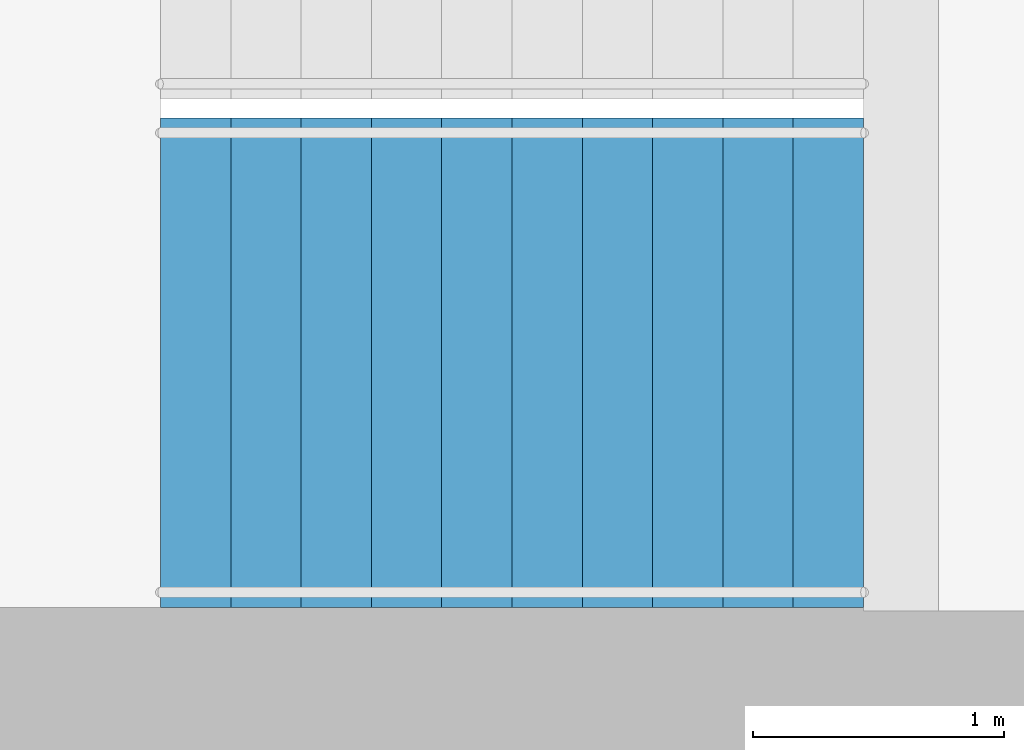
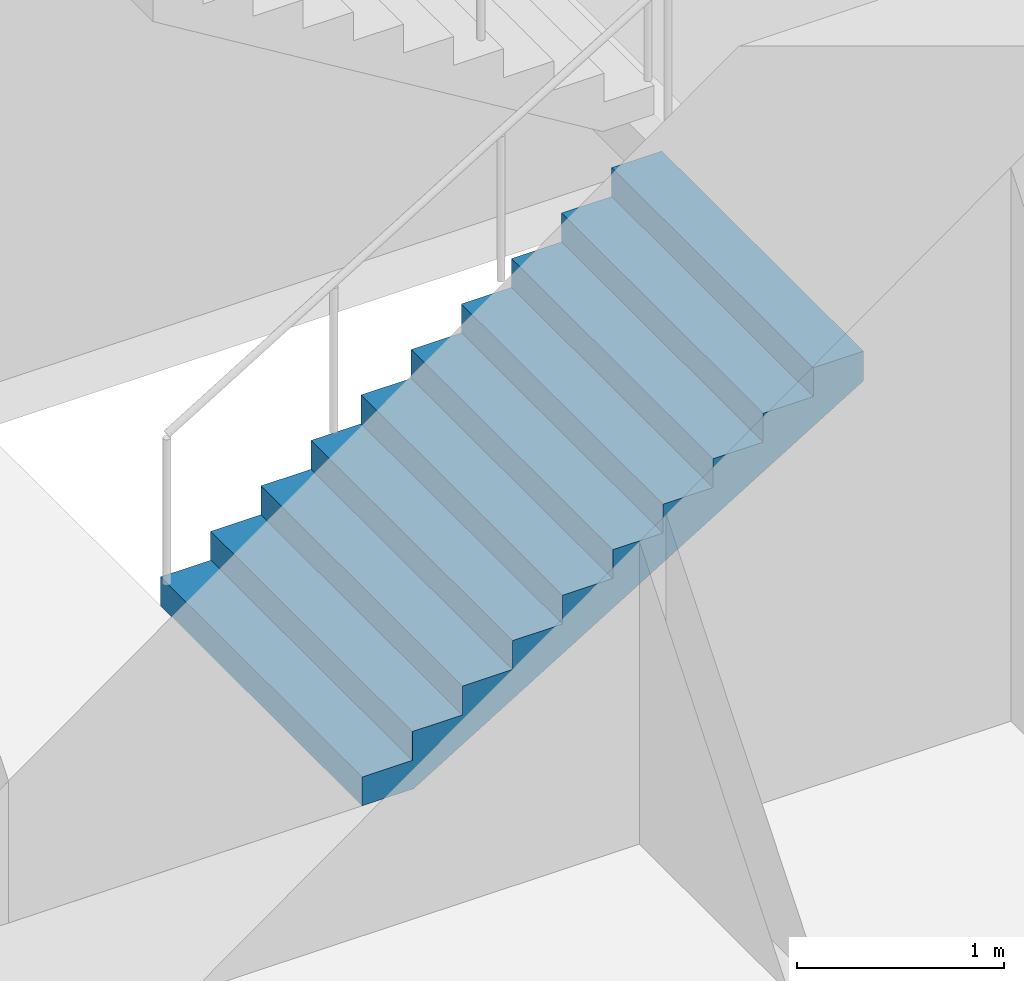
# One storey, part 17 of 21: 1 stair flight, 1 element without a shape of its own.
"""IFC4 building model written with IfcOpenShell, lengths in metres."""

from ifc_helpers import new_model, si_unit, direction, frame, origin, place, context, subcontext, project, spatial, triangles, material, type_object, element, aggregate, save


model = new_model("IFC4")

# Units and contexts
model_context = context("Model", 3, precision=1e-05, world=origin(), true_north=direction((0.0, 1.0)))
body_context = subcontext(model_context, "Body", "Model", "MODEL_VIEW")
ifc_project = project(units=[si_unit("LENGTHUNIT", "METRE"), si_unit("AREAUNIT", "SQUARE_METRE"), si_unit("VOLUMEUNIT", "CUBIC_METRE"), si_unit("PLANEANGLEUNIT", "RADIAN"), si_unit("MASSUNIT", "GRAM", prefix="KILO")], contexts=[model_context])

# Site, building, storey
site_placement = place(None, origin())
site = spatial("IfcSite", under=ifc_project, at=site_placement, CompositionType="ELEMENT")
building_placement = place(site_placement, origin())
building = spatial("IfcBuilding", under=site, at=building_placement, Name="Orbita Commons", CompositionType="ELEMENT")
storey_placement = place(building_placement, frame((0.0, 0.0, 95.64990234375)))
storey = spatial("IfcBuildingStorey", under=building, at=storey_placement, Name="L23", CompositionType="ELEMENT", Elevation=95.64990234375)

# Stair, stair flight
ifc_material_1 = material(Name="Precast concrete C40/50", Category="concrete")
stair_type = type_object("IfcStairType", Name="Exit stair S1 2 flights 11 risers 170", PredefinedType="HALF_TURN_STAIR", material=ifc_material_1)
stair_placement = place(storey_placement, origin())
stair = element("IfcStair", 1, at=stair_placement, inside=storey, type_object=stair_type, Name="Exit stair S1 L23", PredefinedType="HALF_TURN_STAIR")
ifc_material_2 = material(Name="Precast concrete C40/50", Category="concrete")
stair_flight_type = type_object("IfcStairFlightType", Name="Stair flight 11 risers 170 x 280", PredefinedType="STRAIGHT", material=ifc_material_2)
stair_flight_placement = place(storey_placement, frame((20.449951171875, 27.25, 0.0), z_axis=(0.0, 0.0, 1.0), x_axis=(1.0, 0.0, 0.0)))
stair_flight = element("IfcStairFlight", 2, at=stair_flight_placement, type_object=stair_flight_type, Name="S1 flight 1", NumberOfRisers=11, NumberOfTreads=10, PredefinedType="STRAIGHT", RiserHeight=0.170454545, TreadLength=0.28, context=body_context, shape_type="Tessellation", body=[
    triangles([(0.0, 0.974976, 0.0), (0.0, 0.974976, 0.021307), (0.0, 0.81248, 0.021307), (0.0, 0.81248, 0.0), (0.0, 0.649984, 0.021307), (0.0, 0.649984, 0.0), (0.0, 0.487488, 0.021307), (0.0, 0.487488, 0.0), (0.0, 0.324992, 0.021307), (0.0, 0.324992, 0.0), (0.0, 0.162496, 0.021307), (0.0, 0.162496, 0.0), (0.0, 0.0, 0.021307), (0.0, 0.0, 0.0), (0.0, -0.162496, 0.021307), (0.0, -0.162496, 0.0), (0.0, -0.324992, 0.021307), (0.0, -0.324992, 0.0), (0.0, -0.487488, 0.021307), (0.0, -0.487488, 0.0), (0.0, -0.649984, 0.021307), (0.0, -0.649984, 0.0), (0.0, -0.81248, 0.021307), (0.0, -0.81248, 0.0), (0.0, -0.974976, 0.021307), (0.0, -0.974976, 0.0), (0.0, 0.974976, 0.042614), (0.0, 0.81248, 0.042614), (0.0, 0.649984, 0.042614), (0.0, 0.487488, 0.042614), (0.0, 0.324992, 0.042614), (0.0, 0.162496, 0.042614), (0.0, 0.0, 0.042614), (0.0, -0.162496, 0.042614), (0.0, -0.324992, 0.042614), (0.0, -0.487488, 0.042614), (0.0, -0.649984, 0.042614), (0.0, -0.81248, 0.042614), (0.0, -0.974976, 0.042614), (0.0, 0.974976, 0.06392), (0.0, 0.81248, 0.06392), (0.0, 0.649984, 0.06392), (0.0, 0.487488, 0.06392), (0.0, 0.324992, 0.06392), (0.0, 0.162496, 0.06392), (0.0, 0.0, 0.06392), (0.0, -0.162496, 0.06392), (0.0, -0.324992, 0.06392), (0.0, -0.487488, 0.06392), (0.0, -0.649984, 0.06392), (0.0, -0.81248, 0.06392), (0.0, -0.974976, 0.06392), (0.0, 0.974976, 0.085227), (0.0, 0.81248, 0.085227), (0.0, 0.649984, 0.085227), (0.0, 0.487488, 0.085227), (0.0, 0.324992, 0.085227), (0.0, 0.162496, 0.085227), (0.0, 0.0, 0.085227), (0.0, -0.162496, 0.085227), (0.0, -0.324992, 0.085227), (0.0, -0.487488, 0.085227), (0.0, -0.649984, 0.085227), (0.0, -0.81248, 0.085227), (0.0, -0.974976, 0.085227), (0.0, 0.974976, 0.106534), (0.0, 0.81248, 0.106534), (0.0, 0.649984, 0.106534), (0.0, 0.487488, 0.106534), (0.0, 0.324992, 0.106534), (0.0, 0.162496, 0.106534), (0.0, 0.0, 0.106534), (0.0, -0.162496, 0.106534), (0.0, -0.324992, 0.106534), (0.0, -0.487488, 0.106534), (0.0, -0.649984, 0.106534), (0.0, -0.81248, 0.106534), (0.0, -0.974976, 0.106534), (0.0, 0.974976, 0.127841), (0.0, 0.81248, 0.127841), (0.0, 0.649984, 0.127841), (0.0, 0.487488, 0.127841), (0.0, 0.324992, 0.127841), (0.0, 0.162496, 0.127841), (0.0, 0.0, 0.127841), (0.0, -0.162496, 0.127841), (0.0, -0.324992, 0.127841), (0.0, -0.487488, 0.127841), (0.0, -0.649984, 0.127841), (0.0, -0.81248, 0.127841), (0.0, -0.974976, 0.127841), (0.0, 0.974976, 0.149148), (0.0, 0.81248, 0.149148), (0.0, 0.649984, 0.149148), (0.0, 0.487488, 0.149148), (0.0, 0.324992, 0.149148), (0.0, 0.162496, 0.149148), (0.0, 0.0, 0.149148), (0.0, -0.162496, 0.149148), (0.0, -0.324992, 0.149148), (0.0, -0.487488, 0.149148), (0.0, -0.649984, 0.149148), (0.0, -0.81248, 0.149148), (0.0, -0.974976, 0.149148), (0.0, 0.974976, 0.170455), (0.0, 0.81248, 0.170455), (0.0, 0.649984, 0.170455), (0.0, 0.487488, 0.170455), (0.0, 0.324992, 0.170455), (0.0, 0.162496, 0.170455), (0.0, 0.0, 0.170455), (0.0, -0.162496, 0.170455), (0.0, -0.324992, 0.170455), (0.0, -0.487488, 0.170455), (0.0, -0.649984, 0.170455), (0.0, -0.81248, 0.170455), (0.0, -0.974976, 0.170455), (0.28, 0.974976, 0.170455), (0.28, 0.81248, 0.170455), (0.28, 0.649984, 0.170455), (0.28, 0.487488, 0.170455), (0.28, 0.324992, 0.170455), (0.28, 0.162496, 0.170455), (0.28, 0.0, 0.170455), (0.28, -0.162496, 0.170455), (0.28, -0.324992, 0.170455), (0.28, -0.487488, 0.170455), (0.28, -0.649984, 0.170455), (0.28, -0.81248, 0.170455), (0.28, -0.974976, 0.170455), (0.28, 0.974976, 0.340909), (0.28, 0.81248, 0.340909), (0.28, 0.649984, 0.340909), (0.28, 0.487488, 0.340909), (0.28, 0.324992, 0.340909), (0.28, 0.162496, 0.340909), (0.28, 0.0, 0.340909), (0.28, -0.162496, 0.340909), (0.28, -0.324992, 0.340909), (0.28, -0.487488, 0.340909), (0.28, -0.649984, 0.340909), (0.28, -0.81248, 0.340909), (0.28, -0.974976, 0.340909), (0.56, 0.974976, 0.340909), (0.56, 0.81248, 0.340909), (0.56, 0.649984, 0.340909), (0.56, 0.487488, 0.340909), (0.56, 0.324992, 0.340909), (0.56, 0.162496, 0.340909), (0.56, 0.0, 0.340909), (0.56, -0.162496, 0.340909), (0.56, -0.324992, 0.340909), (0.56, -0.487488, 0.340909), (0.56, -0.649984, 0.340909), (0.56, -0.81248, 0.340909), (0.56, -0.974976, 0.340909), (0.56, 0.974976, 0.511364), (0.56, 0.81248, 0.511364), (0.56, 0.649984, 0.511364), (0.56, 0.487488, 0.511364), (0.56, 0.324992, 0.511364), (0.56, 0.162496, 0.511364), (0.56, 0.0, 0.511364), (0.56, -0.162496, 0.511364), (0.56, -0.324992, 0.511364), (0.56, -0.487488, 0.511364), (0.56, -0.649984, 0.511364), (0.56, -0.81248, 0.511364), (0.56, -0.974976, 0.511364), (0.84, 0.974976, 0.511364), (0.84, 0.81248, 0.511364), (0.84, 0.649984, 0.511364), (0.84, 0.487488, 0.511364), (0.84, 0.324992, 0.511364), (0.84, 0.162496, 0.511364), (0.84, 0.0, 0.511364), (0.84, -0.162496, 0.511364), (0.84, -0.324992, 0.511364), (0.84, -0.487488, 0.511364), (0.84, -0.649984, 0.511364), (0.84, -0.81248, 0.511364), (0.84, -0.974976, 0.511364), (0.84, 0.974976, 0.681818), (0.84, 0.81248, 0.681818), (0.84, 0.649984, 0.681818), (0.84, 0.487488, 0.681818), (0.84, 0.324992, 0.681818), (0.84, 0.162496, 0.681818), (0.84, 0.0, 0.681818), (0.84, -0.162496, 0.681818), (0.84, -0.324992, 0.681818), (0.84, -0.487488, 0.681818), (0.84, -0.649984, 0.681818), (0.84, -0.81248, 0.681818), (0.84, -0.974976, 0.681818), (1.12, 0.974976, 0.681818), (1.12, 0.81248, 0.681818), (1.12, 0.649984, 0.681818), (1.12, 0.487488, 0.681818), (1.12, 0.324992, 0.681818), (1.12, 0.162496, 0.681818), (1.12, 0.0, 0.681818), (1.12, -0.162496, 0.681818), (1.12, -0.324992, 0.681818), (1.12, -0.487488, 0.681818), (1.12, -0.649984, 0.681818), (1.12, -0.81248, 0.681818), (1.12, -0.974976, 0.681818), (1.12, 0.974976, 0.852273), (1.12, 0.81248, 0.852273), (1.12, 0.649984, 0.852273), (1.12, 0.487488, 0.852273), (1.12, 0.324992, 0.852273), (1.12, 0.162496, 0.852273), (1.12, 0.0, 0.852273), (1.12, -0.162496, 0.852273), (1.12, -0.324992, 0.852273), (1.12, -0.487488, 0.852273), (1.12, -0.649984, 0.852273), (1.12, -0.81248, 0.852273), (1.12, -0.974976, 0.852273), (1.4, 0.974976, 0.852273), (1.4, 0.81248, 0.852273), (1.4, 0.649984, 0.852273), (1.4, 0.487488, 0.852273), (1.4, 0.324992, 0.852273), (1.4, 0.162496, 0.852273), (1.4, 0.0, 0.852273), (1.4, -0.162496, 0.852273), (1.4, -0.324992, 0.852273), (1.4, -0.487488, 0.852273), (1.4, -0.649984, 0.852273), (1.4, -0.81248, 0.852273), (1.4, -0.974976, 0.852273), (1.4, 0.974976, 1.022727), (1.4, 0.81248, 1.022727), (1.4, 0.649984, 1.022727), (1.4, 0.487488, 1.022727), (1.4, 0.324992, 1.022727), (1.4, 0.162496, 1.022727), (1.4, 0.0, 1.022727), (1.4, -0.162496, 1.022727), (1.4, -0.324992, 1.022727), (1.4, -0.487488, 1.022727), (1.4, -0.649984, 1.022727), (1.4, -0.81248, 1.022727), (1.4, -0.974976, 1.022727), (1.68, 0.974976, 1.022727), (1.68, 0.81248, 1.022727), (1.68, 0.649984, 1.022727), (1.68, 0.487488, 1.022727), (1.68, 0.324992, 1.022727), (1.68, 0.162496, 1.022727), (1.68, 0.0, 1.022727), (1.68, -0.162496, 1.022727), (1.68, -0.324992, 1.022727), (1.68, -0.487488, 1.022727), (1.68, -0.649984, 1.022727), (1.68, -0.81248, 1.022727), (1.68, -0.974976, 1.022727), (1.68, 0.974976, 1.193182), (1.68, 0.81248, 1.193182), (1.68, 0.649984, 1.193182), (1.68, 0.487488, 1.193182), (1.68, 0.324992, 1.193182), (1.68, 0.162496, 1.193182), (1.68, 0.0, 1.193182), (1.68, -0.162496, 1.193182), (1.68, -0.324992, 1.193182), (1.68, -0.487488, 1.193182), (1.68, -0.649984, 1.193182), (1.68, -0.81248, 1.193182), (1.68, -0.974976, 1.193182), (1.96, 0.974976, 1.193182), (1.96, 0.81248, 1.193182), (1.96, 0.649984, 1.193182), (1.96, 0.487488, 1.193182), (1.96, 0.324992, 1.193182), (1.96, 0.162496, 1.193182), (1.96, 0.0, 1.193182), (1.96, -0.162496, 1.193182), (1.96, -0.324992, 1.193182), (1.96, -0.487488, 1.193182), (1.96, -0.649984, 1.193182), (1.96, -0.81248, 1.193182), (1.96, -0.974976, 1.193182), (1.96, 0.974976, 1.363636), (1.96, 0.81248, 1.363636), (1.96, 0.649984, 1.363636), (1.96, 0.487488, 1.363636), (1.96, 0.324992, 1.363636), (1.96, 0.162496, 1.363636), (1.96, 0.0, 1.363636), (1.96, -0.162496, 1.363636), (1.96, -0.324992, 1.363636), (1.96, -0.487488, 1.363636), (1.96, -0.649984, 1.363636), (1.96, -0.81248, 1.363636), (1.96, -0.974976, 1.363636), (2.24, 0.974976, 1.363636), (2.24, 0.81248, 1.363636), (2.24, 0.649984, 1.363636), (2.24, 0.487488, 1.363636), (2.24, 0.324992, 1.363636), (2.24, 0.162496, 1.363636), (2.24, 0.0, 1.363636), (2.24, -0.162496, 1.363636), (2.24, -0.324992, 1.363636), (2.24, -0.487488, 1.363636), (2.24, -0.649984, 1.363636), (2.24, -0.81248, 1.363636), (2.24, -0.974976, 1.363636), (2.24, 0.974976, 1.534091), (2.24, 0.81248, 1.534091), (2.24, 0.649984, 1.534091), (2.24, 0.487488, 1.534091), (2.24, 0.324992, 1.534091), (2.24, 0.162496, 1.534091), (2.24, 0.0, 1.534091), (2.24, -0.162496, 1.534091), (2.24, -0.324992, 1.534091), (2.24, -0.487488, 1.534091), (2.24, -0.649984, 1.534091), (2.24, -0.81248, 1.534091), (2.24, -0.974976, 1.534091), (2.52, 0.974976, 1.534091), (2.52, 0.81248, 1.534091), (2.52, 0.649984, 1.534091), (2.52, 0.487488, 1.534091), (2.52, 0.324992, 1.534091), (2.52, 0.162496, 1.534091), (2.52, 0.0, 1.534091), (2.52, -0.162496, 1.534091), (2.52, -0.324992, 1.534091), (2.52, -0.487488, 1.534091), (2.52, -0.649984, 1.534091), (2.52, -0.81248, 1.534091), (2.52, -0.974976, 1.534091), (2.52, 0.974976, 1.704545), (2.52, 0.81248, 1.704545), (2.52, 0.649984, 1.704545), (2.52, 0.487488, 1.704545), (2.52, 0.324992, 1.704545), (2.52, 0.162496, 1.704545), (2.52, 0.0, 1.704545), (2.52, -0.162496, 1.704545), (2.52, -0.324992, 1.704545), (2.52, -0.487488, 1.704545), (2.52, -0.649984, 1.704545), (2.52, -0.81248, 1.704545), (2.52, -0.974976, 1.704545), (2.8, 0.974976, 1.704545), (2.8, 0.81248, 1.704545), (2.8, 0.649984, 1.704545), (2.8, 0.487488, 1.704545), (2.8, 0.324992, 1.704545), (2.8, 0.162496, 1.704545), (2.8, 0.0, 1.704545), (2.8, -0.162496, 1.704545), (2.8, -0.324992, 1.704545), (2.8, -0.487488, 1.704545), (2.8, -0.649984, 1.704545), (2.8, -0.81248, 1.704545), (2.8, -0.974976, 1.704545), (2.8, 0.974976, 1.682609), (2.8, 0.81248, 1.682609), (2.8, 0.649984, 1.682609), (2.8, 0.487488, 1.682609), (2.8, 0.324992, 1.682609), (2.8, 0.162496, 1.682609), (2.8, 0.0, 1.682609), (2.8, -0.162496, 1.682609), (2.8, -0.324992, 1.682609), (2.8, -0.487488, 1.682609), (2.8, -0.649984, 1.682609), (2.8, -0.81248, 1.682609), (2.8, -0.974976, 1.682609), (2.8, 0.974976, 1.660672), (2.8, 0.81248, 1.660672), (2.8, 0.649984, 1.660672), (2.8, 0.487488, 1.660672), (2.8, 0.324992, 1.660672), (2.8, 0.162496, 1.660672), (2.8, 0.0, 1.660672), (2.8, -0.162496, 1.660672), (2.8, -0.324992, 1.660672), (2.8, -0.487488, 1.660672), (2.8, -0.649984, 1.660672), (2.8, -0.81248, 1.660672), (2.8, -0.974976, 1.660672), (2.8, 0.974976, 1.638735), (2.8, 0.81248, 1.638735), (2.8, 0.649984, 1.638735), (2.8, 0.487488, 1.638735), (2.8, 0.324992, 1.638735), (2.8, 0.162496, 1.638735), (2.8, 0.0, 1.638735), (2.8, -0.162496, 1.638735), (2.8, -0.324992, 1.638735), (2.8, -0.487488, 1.638735), (2.8, -0.649984, 1.638735), (2.8, -0.81248, 1.638735), (2.8, -0.974976, 1.638735), (2.8, 0.974976, 1.616798), (2.8, 0.81248, 1.616798), (2.8, 0.649984, 1.616798), (2.8, 0.487488, 1.616798), (2.8, 0.324992, 1.616798), (2.8, 0.162496, 1.616798), (2.8, 0.0, 1.616798), (2.8, -0.162496, 1.616798), (2.8, -0.324992, 1.616798), (2.8, -0.487488, 1.616798), (2.8, -0.649984, 1.616798), (2.8, -0.81248, 1.616798), (2.8, -0.974976, 1.616798), (2.8, 0.974976, 1.594861), (2.8, 0.81248, 1.594861), (2.8, 0.649984, 1.594861), (2.8, 0.487488, 1.594861), (2.8, 0.324992, 1.594861), (2.8, 0.162496, 1.594861), (2.8, 0.0, 1.594861), (2.8, -0.162496, 1.594861), (2.8, -0.324992, 1.594861), (2.8, -0.487488, 1.594861), (2.8, -0.649984, 1.594861), (2.8, -0.81248, 1.594861), (2.8, -0.974976, 1.594861), (2.8, 0.974976, 1.572925), (2.8, 0.81248, 1.572925), (2.8, 0.649984, 1.572925), (2.8, 0.487488, 1.572925), (2.8, 0.324992, 1.572925), (2.8, 0.162496, 1.572925), (2.8, 0.0, 1.572925), (2.8, -0.162496, 1.572925), (2.8, -0.324992, 1.572925), (2.8, -0.487488, 1.572925), (2.8, -0.649984, 1.572925), (2.8, -0.81248, 1.572925), (2.8, -0.974976, 1.572925), (2.8, 0.974976, 1.550988), (2.8, 0.81248, 1.550988), (2.8, 0.649984, 1.550988), (2.8, 0.487488, 1.550988), (2.8, 0.324992, 1.550988), (2.8, 0.162496, 1.550988), (2.8, 0.0, 1.550988), (2.8, -0.162496, 1.550988), (2.8, -0.324992, 1.550988), (2.8, -0.487488, 1.550988), (2.8, -0.649984, 1.550988), (2.8, -0.81248, 1.550988), (2.8, -0.974976, 1.550988), (2.8, 0.974976, 1.529051), (2.8, 0.81248, 1.529051), (2.8, 0.649984, 1.529051), (2.8, 0.487488, 1.529051), (2.8, 0.324992, 1.529051), (2.8, 0.162496, 1.529051), (2.8, 0.0, 1.529051), (2.8, -0.162496, 1.529051), (2.8, -0.324992, 1.529051), (2.8, -0.487488, 1.529051), (2.8, -0.649984, 1.529051), (2.8, -0.81248, 1.529051), (2.8, -0.974976, 1.529051), (0.288279, 0.974976, 0.0), (0.288279, 0.81248, 0.0), (0.288279, 0.649984, 0.0), (0.288279, 0.487488, 0.0), (0.288279, 0.324992, 0.0), (0.288279, 0.162496, 0.0), (0.288279, 0.0, 0.0), (0.288279, -0.162496, 0.0), (0.288279, -0.324992, 0.0), (0.288279, -0.487488, 0.0), (0.288279, -0.649984, 0.0), (0.288279, -0.81248, 0.0), (0.288279, -0.974976, 0.0)], [[3, 2, 1], [4, 3, 1], [5, 3, 4], [6, 5, 4], [7, 5, 6], [8, 7, 6], [9, 7, 8], [10, 9, 8], [11, 9, 10], [12, 11, 10], [13, 11, 12], [14, 13, 12], [15, 13, 14], [16, 15, 14], [17, 15, 16], [18, 17, 16], [19, 17, 18], [20, 19, 18], [21, 19, 20], [22, 21, 20], [23, 21, 22], [24, 23, 22], [25, 23, 24], [26, 25, 24], [28, 27, 2], [3, 28, 2], [29, 28, 3], [5, 29, 3], [30, 29, 5], [7, 30, 5], [31, 30, 7], [9, 31, 7], [32, 31, 9], [11, 32, 9], [33, 32, 11], [13, 33, 11], [34, 33, 13], [15, 34, 13], [35, 34, 15], [17, 35, 15], [36, 35, 17], [19, 36, 17], [37, 36, 19], [21, 37, 19], [38, 37, 21], [23, 38, 21], [39, 38, 23], [25, 39, 23], [41, 40, 27], [28, 41, 27], [42, 41, 28], [29, 42, 28], [43, 42, 29], [30, 43, 29], [44, 43, 30], [31, 44, 30], [45, 44, 31], [32, 45, 31], [46, 45, 32], [33, 46, 32], [47, 46, 33], [34, 47, 33], [48, 47, 34], [35, 48, 34], [49, 48, 35], [36, 49, 35], [50, 49, 36], [37, 50, 36], [51, 50, 37], [38, 51, 37], [52, 51, 38], [39, 52, 38], [54, 53, 40], [41, 54, 40], [55, 54, 41], [42, 55, 41], [56, 55, 42], [43, 56, 42], [57, 56, 43], [44, 57, 43], [58, 57, 44], [45, 58, 44], [59, 58, 45], [46, 59, 45], [60, 59, 46], [47, 60, 46], [61, 60, 47], [48, 61, 47], [62, 61, 48], [49, 62, 48], [63, 62, 49], [50, 63, 49], [64, 63, 50], [51, 64, 50], [65, 64, 51], [52, 65, 51], [67, 66, 53], [54, 67, 53], [68, 67, 54], [55, 68, 54], [69, 68, 55], [56, 69, 55], [70, 69, 56], [57, 70, 56], [71, 70, 57], [58, 71, 57], [72, 71, 58], [59, 72, 58], [73, 72, 59], [60, 73, 59], [74, 73, 60], [61, 74, 60], [75, 74, 61], [62, 75, 61], [76, 75, 62], [63, 76, 62], [77, 76, 63], [64, 77, 63], [78, 77, 64], [65, 78, 64], [80, 79, 66], [67, 80, 66], [81, 80, 67], [68, 81, 67], [82, 81, 68], [69, 82, 68], [83, 82, 69], [70, 83, 69], [84, 83, 70], [71, 84, 70], [85, 84, 71], [72, 85, 71], [86, 85, 72], [73, 86, 72], [87, 86, 73], [74, 87, 73], [88, 87, 74], [75, 88, 74], [89, 88, 75], [76, 89, 75], [90, 89, 76], [77, 90, 76], [91, 90, 77], [78, 91, 77], [93, 92, 79], [80, 93, 79], [94, 93, 80], [81, 94, 80], [95, 94, 81], [82, 95, 81], [96, 95, 82], [83, 96, 82], [97, 96, 83], [84, 97, 83], [98, 97, 84], [85, 98, 84], [99, 98, 85], [86, 99, 85], [100, 99, 86], [87, 100, 86], [101, 100, 87], [88, 101, 87], [102, 101, 88], [89, 102, 88], [103, 102, 89], [90, 103, 89], [104, 103, 90], [91, 104, 90], [106, 105, 92], [93, 106, 92], [107, 106, 93], [94, 107, 93], [108, 107, 94], [95, 108, 94], [109, 108, 95], [96, 109, 95], [110, 109, 96], [97, 110, 96], [111, 110, 97], [98, 111, 97], [112, 111, 98], [99, 112, 98], [113, 112, 99], [100, 113, 99], [114, 113, 100], [101, 114, 100], [115, 114, 101], [102, 115, 101], [116, 115, 102], [103, 116, 102], [117, 116, 103], [104, 117, 103], [119, 118, 105], [106, 119, 105], [120, 119, 106], [107, 120, 106], [121, 120, 107], [108, 121, 107], [122, 121, 108], [109, 122, 108], [123, 122, 109], [110, 123, 109], [124, 123, 110], [111, 124, 110], [125, 124, 111], [112, 125, 111], [126, 125, 112], [113, 126, 112], [127, 126, 113], [114, 127, 113], [128, 127, 114], [115, 128, 114], [129, 128, 115], [116, 129, 115], [130, 129, 116], [117, 130, 116], [132, 131, 118], [119, 132, 118], [133, 132, 119], [120, 133, 119], [134, 133, 120], [121, 134, 120], [135, 134, 121], [122, 135, 121], [136, 135, 122], [123, 136, 122], [137, 136, 123], [124, 137, 123], [138, 137, 124], [125, 138, 124], [139, 138, 125], [126, 139, 125], [140, 139, 126], [127, 140, 126], [141, 140, 127], [128, 141, 127], [142, 141, 128], [129, 142, 128], [143, 142, 129], [130, 143, 129], [145, 144, 131], [132, 145, 131], [146, 145, 132], [133, 146, 132], [147, 146, 133], [134, 147, 133], [148, 147, 134], [135, 148, 134], [149, 148, 135], [136, 149, 135], [150, 149, 136], [137, 150, 136], [151, 150, 137], [138, 151, 137], [152, 151, 138], [139, 152, 138], [153, 152, 139], [140, 153, 139], [154, 153, 140], [141, 154, 140], [155, 154, 141], [142, 155, 141], [156, 155, 142], [143, 156, 142], [158, 157, 144], [145, 158, 144], [159, 158, 145], [146, 159, 145], [160, 159, 146], [147, 160, 146], [161, 160, 147], [148, 161, 147], [162, 161, 148], [149, 162, 148], [163, 162, 149], [150, 163, 149], [164, 163, 150], [151, 164, 150], [165, 164, 151], [152, 165, 151], [166, 165, 152], [153, 166, 152], [167, 166, 153], [154, 167, 153], [168, 167, 154], [155, 168, 154], [169, 168, 155], [156, 169, 155], [171, 170, 157], [158, 171, 157], [172, 171, 158], [159, 172, 158], [173, 172, 159], [160, 173, 159], [174, 173, 160], [161, 174, 160], [175, 174, 161], [162, 175, 161], [176, 175, 162], [163, 176, 162], [177, 176, 163], [164, 177, 163], [178, 177, 164], [165, 178, 164], [179, 178, 165], [166, 179, 165], [180, 179, 166], [167, 180, 166], [181, 180, 167], [168, 181, 167], [182, 181, 168], [169, 182, 168], [184, 183, 170], [171, 184, 170], [185, 184, 171], [172, 185, 171], [186, 185, 172], [173, 186, 172], [187, 186, 173], [174, 187, 173], [188, 187, 174], [175, 188, 174], [189, 188, 175], [176, 189, 175], [190, 189, 176], [177, 190, 176], [191, 190, 177], [178, 191, 177], [192, 191, 178], [179, 192, 178], [193, 192, 179], [180, 193, 179], [194, 193, 180], [181, 194, 180], [195, 194, 181], [182, 195, 181], [197, 196, 183], [184, 197, 183], [198, 197, 184], [185, 198, 184], [199, 198, 185], [186, 199, 185], [200, 199, 186], [187, 200, 186], [201, 200, 187], [188, 201, 187], [202, 201, 188], [189, 202, 188], [203, 202, 189], [190, 203, 189], [204, 203, 190], [191, 204, 190], [205, 204, 191], [192, 205, 191], [206, 205, 192], [193, 206, 192], [207, 206, 193], [194, 207, 193], [208, 207, 194], [195, 208, 194], [210, 209, 196], [197, 210, 196], [211, 210, 197], [198, 211, 197], [212, 211, 198], [199, 212, 198], [213, 212, 199], [200, 213, 199], [214, 213, 200], [201, 214, 200], [215, 214, 201], [202, 215, 201], [216, 215, 202], [203, 216, 202], [217, 216, 203], [204, 217, 203], [218, 217, 204], [205, 218, 204], [219, 218, 205], [206, 219, 205], [220, 219, 206], [207, 220, 206], [221, 220, 207], [208, 221, 207], [223, 222, 209], [210, 223, 209], [224, 223, 210], [211, 224, 210], [225, 224, 211], [212, 225, 211], [226, 225, 212], [213, 226, 212], [227, 226, 213], [214, 227, 213], [228, 227, 214], [215, 228, 214], [229, 228, 215], [216, 229, 215], [230, 229, 216], [217, 230, 216], [231, 230, 217], [218, 231, 217], [232, 231, 218], [219, 232, 218], [233, 232, 219], [220, 233, 219], [234, 233, 220], [221, 234, 220], [236, 235, 222], [223, 236, 222], [237, 236, 223], [224, 237, 223], [238, 237, 224], [225, 238, 224], [239, 238, 225], [226, 239, 225], [240, 239, 226], [227, 240, 226], [241, 240, 227], [228, 241, 227], [242, 241, 228], [229, 242, 228], [243, 242, 229], [230, 243, 229], [244, 243, 230], [231, 244, 230], [245, 244, 231], [232, 245, 231], [246, 245, 232], [233, 246, 232], [247, 246, 233], [234, 247, 233], [249, 248, 235], [236, 249, 235], [250, 249, 236], [237, 250, 236], [251, 250, 237], [238, 251, 237], [252, 251, 238], [239, 252, 238], [253, 252, 239], [240, 253, 239], [254, 253, 240], [241, 254, 240], [255, 254, 241], [242, 255, 241], [256, 255, 242], [243, 256, 242], [257, 256, 243], [244, 257, 243], [258, 257, 244], [245, 258, 244], [259, 258, 245], [246, 259, 245], [260, 259, 246], [247, 260, 246], [262, 261, 248], [249, 262, 248], [263, 262, 249], [250, 263, 249], [264, 263, 250], [251, 264, 250], [265, 264, 251], [252, 265, 251], [266, 265, 252], [253, 266, 252], [267, 266, 253], [254, 267, 253], [268, 267, 254], [255, 268, 254], [269, 268, 255], [256, 269, 255], [270, 269, 256], [257, 270, 256], [271, 270, 257], [258, 271, 257], [272, 271, 258], [259, 272, 258], [273, 272, 259], [260, 273, 259], [275, 274, 261], [262, 275, 261], [276, 275, 262], [263, 276, 262], [277, 276, 263], [264, 277, 263], [278, 277, 264], [265, 278, 264], [279, 278, 265], [266, 279, 265], [280, 279, 266], [267, 280, 266], [281, 280, 267], [268, 281, 267], [282, 281, 268], [269, 282, 268], [283, 282, 269], [270, 283, 269], [284, 283, 270], [271, 284, 270], [285, 284, 271], [272, 285, 271], [286, 285, 272], [273, 286, 272], [288, 287, 274], [275, 288, 274], [289, 288, 275], [276, 289, 275], [290, 289, 276], [277, 290, 276], [291, 290, 277], [278, 291, 277], [292, 291, 278], [279, 292, 278], [293, 292, 279], [280, 293, 279], [294, 293, 280], [281, 294, 280], [295, 294, 281], [282, 295, 281], [296, 295, 282], [283, 296, 282], [297, 296, 283], [284, 297, 283], [298, 297, 284], [285, 298, 284], [299, 298, 285], [286, 299, 285], [301, 300, 287], [288, 301, 287], [302, 301, 288], [289, 302, 288], [303, 302, 289], [290, 303, 289], [304, 303, 290], [291, 304, 290], [305, 304, 291], [292, 305, 291], [306, 305, 292], [293, 306, 292], [307, 306, 293], [294, 307, 293], [308, 307, 294], [295, 308, 294], [309, 308, 295], [296, 309, 295], [310, 309, 296], [297, 310, 296], [311, 310, 297], [298, 311, 297], [312, 311, 298], [299, 312, 298], [314, 313, 300], [301, 314, 300], [315, 314, 301], [302, 315, 301], [316, 315, 302], [303, 316, 302], [317, 316, 303], [304, 317, 303], [318, 317, 304], [305, 318, 304], [319, 318, 305], [306, 319, 305], [320, 319, 306], [307, 320, 306], [321, 320, 307], [308, 321, 307], [322, 321, 308], [309, 322, 308], [323, 322, 309], [310, 323, 309], [324, 323, 310], [311, 324, 310], [325, 324, 311], [312, 325, 311], [327, 326, 313], [314, 327, 313], [328, 327, 314], [315, 328, 314], [329, 328, 315], [316, 329, 315], [330, 329, 316], [317, 330, 316], [331, 330, 317], [318, 331, 317], [332, 331, 318], [319, 332, 318], [333, 332, 319], [320, 333, 319], [334, 333, 320], [321, 334, 320], [335, 334, 321], [322, 335, 321], [336, 335, 322], [323, 336, 322], [337, 336, 323], [324, 337, 323], [338, 337, 324], [325, 338, 324], [340, 339, 326], [327, 340, 326], [341, 340, 327], [328, 341, 327], [342, 341, 328], [329, 342, 328], [343, 342, 329], [330, 343, 329], [344, 343, 330], [331, 344, 330], [345, 344, 331], [332, 345, 331], [346, 345, 332], [333, 346, 332], [347, 346, 333], [334, 347, 333], [348, 347, 334], [335, 348, 334], [349, 348, 335], [336, 349, 335], [350, 349, 336], [337, 350, 336], [351, 350, 337], [338, 351, 337], [353, 352, 339], [340, 353, 339], [354, 353, 340], [341, 354, 340], [355, 354, 341], [342, 355, 341], [356, 355, 342], [343, 356, 342], [357, 356, 343], [344, 357, 343], [358, 357, 344], [345, 358, 344], [359, 358, 345], [346, 359, 345], [360, 359, 346], [347, 360, 346], [361, 360, 347], [348, 361, 347], [362, 361, 348], [349, 362, 348], [363, 362, 349], [350, 363, 349], [364, 363, 350], [351, 364, 350], [366, 365, 352], [353, 366, 352], [367, 366, 353], [354, 367, 353], [368, 367, 354], [355, 368, 354], [369, 368, 355], [356, 369, 355], [370, 369, 356], [357, 370, 356], [371, 370, 357], [358, 371, 357], [372, 371, 358], [359, 372, 358], [373, 372, 359], [360, 373, 359], [374, 373, 360], [361, 374, 360], [375, 374, 361], [362, 375, 361], [376, 375, 362], [363, 376, 362], [377, 376, 363], [364, 377, 363], [379, 378, 365], [366, 379, 365], [380, 379, 366], [367, 380, 366], [381, 380, 367], [368, 381, 367], [382, 381, 368], [369, 382, 368], [383, 382, 369], [370, 383, 369], [384, 383, 370], [371, 384, 370], [385, 384, 371], [372, 385, 371], [386, 385, 372], [373, 386, 372], [387, 386, 373], [374, 387, 373], [388, 387, 374], [375, 388, 374], [389, 388, 375], [376, 389, 375], [390, 389, 376], [377, 390, 376], [392, 391, 378], [379, 392, 378], [393, 392, 379], [380, 393, 379], [394, 393, 380], [381, 394, 380], [395, 394, 381], [382, 395, 381], [396, 395, 382], [383, 396, 382], [397, 396, 383], [384, 397, 383], [398, 397, 384], [385, 398, 384], [399, 398, 385], [386, 399, 385], [400, 399, 386], [387, 400, 386], [401, 400, 387], [388, 401, 387], [402, 401, 388], [389, 402, 388], [403, 402, 389], [390, 403, 389], [405, 404, 391], [392, 405, 391], [406, 405, 392], [393, 406, 392], [407, 406, 393], [394, 407, 393], [408, 407, 394], [395, 408, 394], [409, 408, 395], [396, 409, 395], [410, 409, 396], [397, 410, 396], [411, 410, 397], [398, 411, 397], [412, 411, 398], [399, 412, 398], [413, 412, 399], [400, 413, 399], [414, 413, 400], [401, 414, 400], [415, 414, 401], [402, 415, 401], [416, 415, 402], [403, 416, 402], [418, 417, 404], [405, 418, 404], [419, 418, 405], [406, 419, 405], [420, 419, 406], [407, 420, 406], [421, 420, 407], [408, 421, 407], [422, 421, 408], [409, 422, 408], [423, 422, 409], [410, 423, 409], [424, 423, 410], [411, 424, 410], [425, 424, 411], [412, 425, 411], [426, 425, 412], [413, 426, 412], [427, 426, 413], [414, 427, 413], [428, 427, 414], [415, 428, 414], [429, 428, 415], [416, 429, 415], [431, 430, 417], [418, 431, 417], [432, 431, 418], [419, 432, 418], [433, 432, 419], [420, 433, 419], [434, 433, 420], [421, 434, 420], [435, 434, 421], [422, 435, 421], [436, 435, 422], [423, 436, 422], [437, 436, 423], [424, 437, 423], [438, 437, 424], [425, 438, 424], [439, 438, 425], [426, 439, 425], [440, 439, 426], [427, 440, 426], [441, 440, 427], [428, 441, 427], [442, 441, 428], [429, 442, 428], [444, 443, 430], [431, 444, 430], [445, 444, 431], [432, 445, 431], [446, 445, 432], [433, 446, 432], [447, 446, 433], [434, 447, 433], [448, 447, 434], [435, 448, 434], [449, 448, 435], [436, 449, 435], [450, 449, 436], [437, 450, 436], [451, 450, 437], [438, 451, 437], [452, 451, 438], [439, 452, 438], [453, 452, 439], [440, 453, 439], [454, 453, 440], [441, 454, 440], [455, 454, 441], [442, 455, 441], [457, 456, 443], [444, 457, 443], [458, 457, 444], [445, 458, 444], [459, 458, 445], [446, 459, 445], [460, 459, 446], [447, 460, 446], [461, 460, 447], [448, 461, 447], [462, 461, 448], [449, 462, 448], [463, 462, 449], [450, 463, 449], [464, 463, 450], [451, 464, 450], [465, 464, 451], [452, 465, 451], [466, 465, 452], [453, 466, 452], [467, 466, 453], [454, 467, 453], [468, 467, 454], [455, 468, 454], [470, 469, 456], [457, 470, 456], [471, 470, 457], [458, 471, 457], [472, 471, 458], [459, 472, 458], [473, 472, 459], [460, 473, 459], [474, 473, 460], [461, 474, 460], [475, 474, 461], [462, 475, 461], [476, 475, 462], [463, 476, 462], [477, 476, 463], [464, 477, 463], [478, 477, 464], [465, 478, 464], [479, 478, 465], [466, 479, 465], [480, 479, 466], [467, 480, 466], [481, 480, 467], [468, 481, 467], [4, 1, 469], [470, 4, 469], [6, 4, 470], [471, 6, 470], [8, 6, 471], [472, 8, 471], [10, 8, 472], [473, 10, 472], [12, 10, 473], [474, 12, 473], [14, 12, 474], [475, 14, 474], [16, 14, 475], [476, 16, 475], [18, 16, 476], [477, 18, 476], [20, 18, 477], [478, 20, 477], [22, 20, 478], [479, 22, 478], [24, 22, 479], [480, 24, 479], [26, 24, 480], [481, 26, 480], [456, 469, 1], [26, 481, 468], [443, 456, 1], [26, 468, 455], [430, 443, 1], [26, 455, 442], [417, 430, 1], [26, 442, 429], [404, 417, 1], [26, 429, 416], [391, 404, 1], [26, 416, 403], [378, 391, 1], [26, 403, 390], [365, 378, 1], [26, 390, 377], [339, 352, 365], [377, 364, 351], [326, 339, 365], [377, 351, 338], [300, 313, 326], [338, 325, 312], [300, 326, 365], [377, 338, 312], [274, 287, 300], [312, 299, 286], [274, 300, 365], [377, 312, 286], [248, 261, 274], [286, 273, 260], [248, 274, 365], [377, 286, 260], [222, 235, 248], [260, 247, 234], [222, 248, 365], [377, 260, 234], [196, 209, 222], [234, 221, 208], [196, 222, 365], [377, 234, 208], [170, 183, 196], [208, 195, 182], [170, 196, 365], [377, 208, 182], [144, 157, 170], [182, 169, 156], [144, 170, 365], [377, 182, 156], [118, 131, 144], [156, 143, 130], [118, 144, 365], [377, 156, 130], [118, 365, 1], [26, 377, 130], [92, 105, 118], [130, 117, 104], [79, 92, 118], [130, 104, 91], [66, 79, 118], [130, 91, 78], [53, 66, 118], [130, 78, 65], [40, 53, 118], [130, 65, 52], [27, 40, 118], [130, 52, 39], [2, 27, 118], [130, 39, 25], [1, 2, 118], [130, 25, 26]], closed=True),
])
aggregate(stair, [stair_flight])

save(model, "model.ifc")
